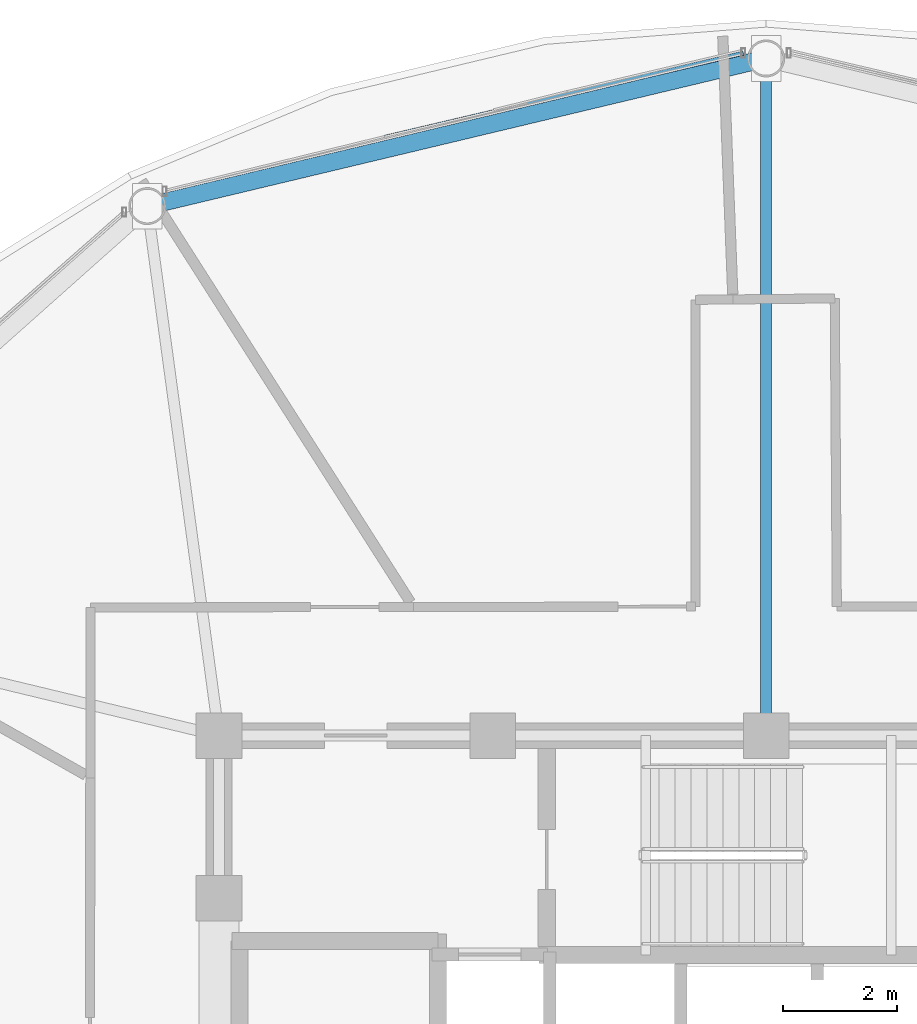
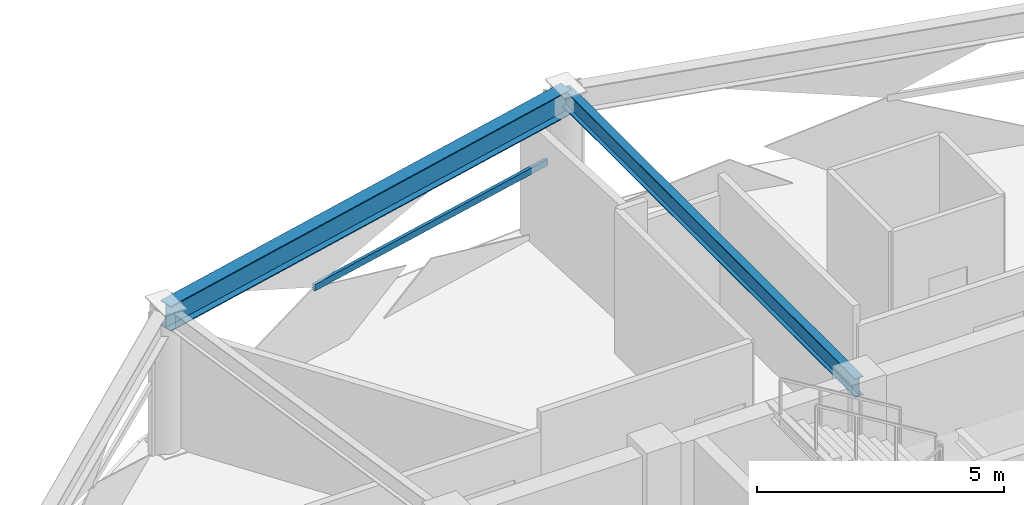
# One storey, part 17 of 28: 2 beams, 1 member, 1 element without a shape of its own.
"""IFC4 building model written with IfcOpenShell, lengths in metres."""

from ifc_helpers import new_model, si_unit, direction, frame, origin, origin_2d, place, context, subcontext, project, spatial, hollow_rectangle, i_section, extrude, material, layer, layer_set, material_profile, profile_set, type_object, element, aggregate, save


model = new_model("IFC4")

# Units and contexts
model_context = context("Model", 3, precision=1e-05, world=origin(), true_north=direction((0.0, 1.0)))
body_context = subcontext(model_context, "Body", "Model", "MODEL_VIEW")
ifc_project = project(units=[si_unit("LENGTHUNIT", "METRE"), si_unit("AREAUNIT", "SQUARE_METRE"), si_unit("VOLUMEUNIT", "CUBIC_METRE"), si_unit("PLANEANGLEUNIT", "RADIAN"), si_unit("MASSUNIT", "GRAM", prefix="KILO")], contexts=[model_context])

# Site, building, storey
site_placement = place(None, origin())
site = spatial("IfcSite", under=ifc_project, at=site_placement, CompositionType="ELEMENT")
building_placement = place(site_placement, origin())
building = spatial("IfcBuilding", under=site, at=building_placement, Name="Vantalir Tower", CompositionType="ELEMENT")
storey_placement = place(building_placement, frame((0.0, 0.0, 246.14990234375)))
storey = spatial("IfcBuildingStorey", under=building, at=storey_placement, Name="L62", CompositionType="ELEMENT", Elevation=246.14990234375)

# Beams
ifc_material_1 = material(Name="Steel S355", Category="steel")
ifc_material_profile_1 = material_profile(ifc_material_1, i_section(OverallWidth=0.19189453125, OverallDepth=0.462890625, WebThickness=0.010498046875, FlangeThickness=0.017578125, at=origin_2d()), Name="Steel S355")
ifc_profile_set_1 = profile_set([ifc_material_profile_1], Name="Steel S355")
beam_type_1 = type_object("IfcBeamType", Name="BM-RB-457x191", PredefinedType="BEAM", material=ifc_profile_set_1)
beam_1_placement = place(storey_placement, frame((31.5, 44.3330078125, 3.338134765625), z_axis=(0.0, -1.0, 0.0), x_axis=(1.0, 0.0, 0.0)))
element("IfcBeam", 1, at=beam_1_placement, inside=storey, type_object=beam_type_1, Name="L62 Radial Floor Beam 04", PredefinedType="BEAM", context=body_context, shape_type="SweptSolid", body=[
    extrude(i_section(OverallWidth=0.19189453125, OverallDepth=0.462890625, WebThickness=0.010498046875, FlangeThickness=0.017578125, at=origin_2d()), origin(), (0.0, 0.0, 1.0), 11.883056640625),
])
ifc_material_2 = material(Name="Steel S460", Category="steel")
ifc_material_profile_2 = material_profile(ifc_material_2, i_section(OverallWidth=0.306884765625, OverallDepth=0.6201171875, WebThickness=0.01416015625, FlangeThickness=0.023681640625, at=origin_2d()), Name="Steel S460")
ifc_profile_set_2 = profile_set([ifc_material_profile_2], Name="Steel S460")
beam_type_2 = type_object("IfcBeamType", Name="BM-RG-610x305", PredefinedType="USERDEFINED", material=ifc_profile_set_2)
beam_2_placement = place(storey_placement, frame((31.5, 44.3330078125, 3.260009765625), z_axis=(-0.97271250926, -0.23201373737, 0.0), x_axis=(0.23201373737, -0.97271250926, 0.0)))
element("IfcBeam", 2, at=beam_2_placement, inside=storey, type_object=beam_type_2, Name="L62 Circumferential Ring Girder 04", ObjectType="GIRDER", PredefinedType="USERDEFINED", context=body_context, shape_type="SweptSolid", body=[
    extrude(i_section(OverallWidth=0.306884765625, OverallDepth=0.6201171875, WebThickness=0.01416015625, FlangeThickness=0.023681640625, at=origin_2d()), origin(), (0.0, 0.0, 1.0), 11.16357421875),
])

# Curtain wall, member
ifc_material_3 = material(Name="Champagne-silver PVDF aluminium and double-silver Low-E glass", Category="aluminium")
ifc_layer = layer(ifc_material_3, 0.2099609375)
ifc_layer_set = layer_set([ifc_layer], Name="Champagne-silver PVDF aluminium and double-silver Low-E glass")
curtain_wall_type = type_object("IfcCurtainWallType", Name="CW-DIAMOND-Z3", PredefinedType="USERDEFINED", material=ifc_layer_set)
curtain_wall_placement = place(storey_placement, origin())
curtain_wall = element("IfcCurtainWall", 3, at=curtain_wall_placement, inside=storey, type_object=curtain_wall_type, Name="L62 Quilted Pyramid-Diamond Curtain Wall S04", ObjectType="UNITISED CURTAIN WALL", PredefinedType="USERDEFINED")
ifc_material_4 = material(Name="Champagne-silver PVDF aluminium 6063-T6", Category="aluminium")
ifc_material_profile_3 = material_profile(ifc_material_4, hollow_rectangle(XDim=0.074951171875, YDim=0.159912109375, WallThickness=0.00390625, at=origin_2d()), Name="Champagne-silver PVDF aluminium 6063-T6")
ifc_profile_set_3 = profile_set([ifc_material_profile_3], Name="Champagne-silver PVDF aluminium 6063-T6")
member_type = type_object("IfcMemberType", Name="CWT-160x75", PredefinedType="USERDEFINED", material=ifc_profile_set_3)
member_placement = place(storey_placement, frame((31.10107421875, 44.427978515625, 1.78515625), z_axis=(-0.973473493808, -0.2287998183, 0.0), x_axis=(0.2287998183, -0.973473493808, 0.0)))
member = element("IfcMember", 4, at=member_placement, type_object=member_type, Name="CW-L62-S04 Pyramid Fold Ridge Transom", ObjectType="TRANSOM", PredefinedType="USERDEFINED", context=body_context, shape_type="SweptSolid", body=[
    extrude(hollow_rectangle(XDim=0.074951171875, YDim=0.159912109375, WallThickness=0.00390625, at=origin_2d()), origin(), (0.0, 0.0, 1.0), 6.47705078125),
])
aggregate(curtain_wall, [member])

save(model, "model.ifc")
